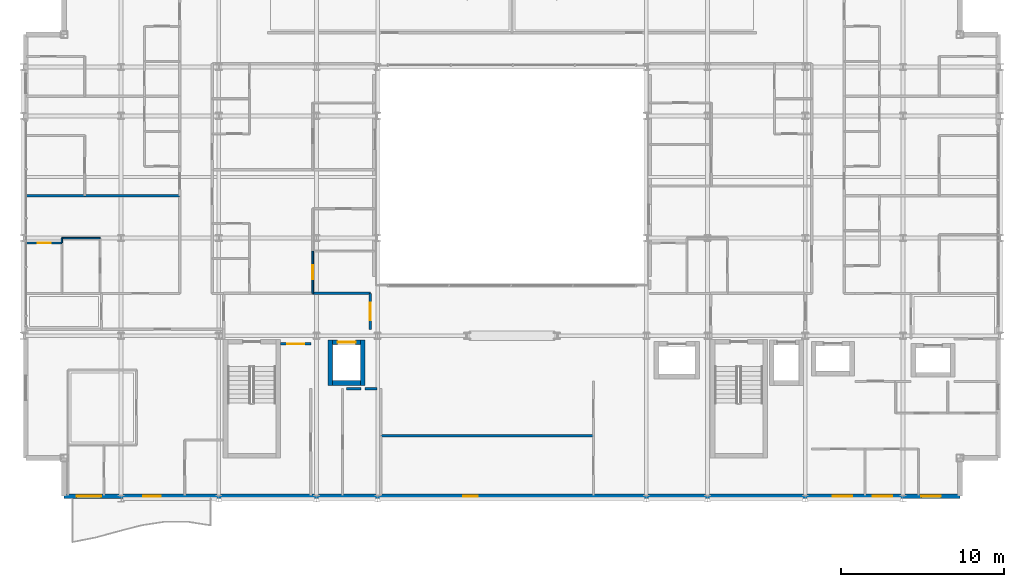
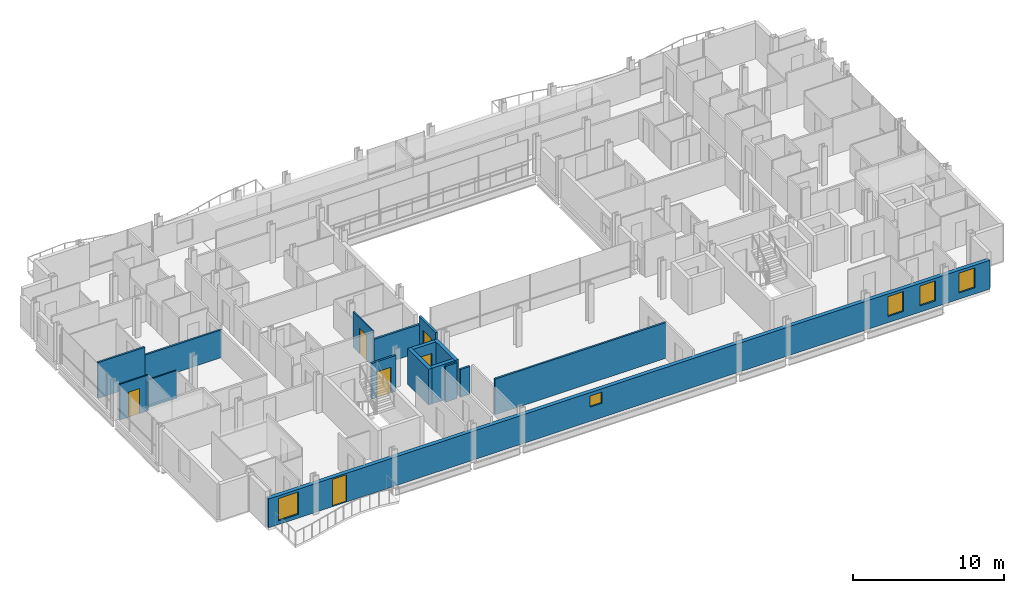
# One storey, part 32 of 41: 17 walls, 6 doors, 5 windows, 11 openings.
"""IFC4 building model written with IfcOpenShell, lengths in metres."""

from ifc_helpers import new_model, si_unit, direction, frame, frame_2d, origin, place, context, subcontext, project, spatial, rectangle, extrude, material, layer, layer_set, type_object, element, fill, save


model = new_model("IFC4")

# Units and contexts
model_context = context("Model", 3, precision=1e-05, world=origin(), true_north=direction((0.0, 1.0)))
body_context = subcontext(model_context, "Body", "Model", "MODEL_VIEW")
ifc_project = project(units=[si_unit("LENGTHUNIT", "METRE"), si_unit("AREAUNIT", "SQUARE_METRE"), si_unit("VOLUMEUNIT", "CUBIC_METRE"), si_unit("PLANEANGLEUNIT", "RADIAN"), si_unit("MASSUNIT", "GRAM", prefix="KILO")], contexts=[model_context])

# Site, building, storey
site_placement = place(None, origin())
site = spatial("IfcSite", under=ifc_project, at=site_placement, CompositionType="ELEMENT")
building_placement = place(site_placement, origin())
building = spatial("IfcBuilding", under=site, at=building_placement, Name="Brevholm Reach", CompositionType="ELEMENT")
storey_placement = place(building_placement, frame((0.0, 0.0, 100.39990234375)))
storey = spatial("IfcBuildingStorey", under=building, at=storey_placement, Name="L29", CompositionType="ELEMENT", Elevation=100.39990234375)

# Walls
ifc_material_1 = material(Name="Concrete C50/60", Category="concrete")
ifc_layer_1 = layer(ifc_material_1, 0.280029296875)
ifc_layer_set_1 = layer_set([ifc_layer_1], Name="Concrete C50/60")
wall_type_1 = type_object("IfcWallType", Name="WAL-COR-280", PredefinedType="SHEAR", material=ifc_layer_set_1)
for number, where, z_axis, x_axis, name in (
    (1, (18.85009765625, 6.9599609375, 0.0), (0.0, 0.0, 1.0), (0.0, 1.0, 0.0), "L29 Lift FFL-1 Shaft Wall W"),
    (2, (20.85009765625, 6.9599609375, 0.0), (0.0, 0.0, 1.0), (0.0, 1.0, 0.0), "L29 Lift FFL-1 Shaft Wall E"),
):
    element("IfcWall", number, at=place(storey_placement, frame(where, z_axis=z_axis, x_axis=x_axis)), inside=storey, type_object=wall_type_1, Name=name, PredefinedType="SHEAR", context=body_context, shape_type="SweptSolid", body=[
        extrude(rectangle(XDim=2.780029296875, YDim=0.280029296875, at=frame_2d((1.39013671875, 0.0))), origin(), (0.0, 0.0, 1.0), 2.880126953125),
    ])
wall_1_placement = place(storey_placement, frame((18.989990234375, 7.10009765625, 0.0), z_axis=(0.0, 0.0, 1.0), x_axis=(1.0, 0.0, 0.0)))
element("IfcWall", 3, at=wall_1_placement, inside=storey, type_object=wall_type_1, Name="L29 Lift FFL-1 Shaft Wall S", PredefinedType="SHEAR", context=body_context, shape_type="SweptSolid", body=[
    extrude(rectangle(XDim=1.719970703125, YDim=0.280029296875, at=frame_2d((0.85986328125, 0.0))), origin(), (0.0, 0.0, 1.0), 2.880126953125),
])

# Wall, opening, door
wall_2_placement = place(storey_placement, frame((18.989990234375, 9.60009765625, 0.0), z_axis=(0.0, 0.0, 1.0), x_axis=(1.0, 0.0, 0.0)))
wall_2 = element("IfcWall", 4, at=wall_2_placement, inside=storey, type_object=wall_type_1, Name="L29 Lift FFL-1 Shaft Wall N", PredefinedType="SHEAR", context=body_context, shape_type="SweptSolid", body=[
    extrude(rectangle(XDim=1.719970703125, YDim=0.280029296875, at=frame_2d((0.85986328125, 0.0))), origin(), (0.0, 0.0, 1.0), 2.880126953125),
])
opening_1_placement = place(wall_2_placement, frame((0.31005859375, 0.0, 0.0)))
opening_1 = element("IfcOpeningElement", 5, at=opening_1_placement, cuts=wall_2, Name="Opening LD-FFL-1", PredefinedType="OPENING", context=body_context, shape_type="SweptSolid", body=[
    extrude(rectangle(XDim=1.10009765625, YDim=2.06005859375, at=frame_2d((0.550048828125, 1.030029296875))), frame((0.0, 0.14990234375, 0.0), z_axis=(0.0, -1.0, 0.0), x_axis=(1.0, 0.0, 0.0)), (0.0, 0.0, 1.0), 0.300048828125),
])
ifc_material_2 = material(Name="Brushed Stainless Steel Fire-Rated Sliding Lift Door", Category="steel")
door_type_1 = type_object("IfcDoorType", Name="DOR-LFT-1100", OperationType="NOTDEFINED", PredefinedType="DOOR", material=ifc_material_2)
door_1_placement = place(opening_1_placement, origin())
door_1 = element("IfcDoor", 6, at=door_1_placement, inside=storey, type_object=door_type_1, Name="L29 Lift FFL-1 Sliding Landing Door", OperationType="SLIDING_TO_LEFT", OverallHeight=2.06005859375, OverallWidth=1.10009765625, PredefinedType="DOOR", context=body_context, shape_type="SweptSolid", body=[
    extrude(rectangle(XDim=1.10009765625, YDim=2.06005859375, at=frame_2d((0.550048828125, 1.030029296875))), frame((0.0, 0.02490234375, 0.0), z_axis=(0.0, -1.0, 0.0), x_axis=(1.0, 0.0, 0.0)), (0.0, 0.0, 1.0), 0.050048828125),
])
fill(opening_1, door_1)

# Wall, openings, door, windows
ifc_material_3 = material(Name="Concrete C40/50", Category="concrete")
ifc_layer_2 = layer(ifc_material_3, 0.300048828125)
ifc_layer_set_2 = layer_set([ifc_layer_2], Name="Concrete C40/50")
wall_type_2 = type_object("IfcWallType", Name="WAL-EXT-300", PredefinedType="STANDARD", material=ifc_layer_set_2)
wall_3_placement = place(storey_placement, frame((2.5, 0.14990234375, 0.0), z_axis=(0.0, 0.0, 1.0), x_axis=(1.0, 0.0, 0.0)))
wall_3 = element("IfcWall", 7, at=wall_3_placement, inside=storey, type_object=wall_type_2, Name="L29 Facade Wall WAL-L29-S", PredefinedType="STANDARD", context=body_context, shape_type="SweptSolid", body=[
    extrude(rectangle(XDim=55.0, YDim=0.300048828125, at=frame_2d((27.5, 0.0))), origin(), (0.0, 0.0, 1.0), 2.322021484375),
])
opening_2_placement = place(wall_3_placement, frame((4.85009765625, 0.0, 0.0)))
opening_2 = element("IfcOpeningElement", 8, at=opening_2_placement, cuts=wall_3, Name="Opening BD-01", PredefinedType="OPENING", context=body_context, shape_type="SweptSolid", body=[
    extrude(rectangle(XDim=1.10009765625, YDim=2.199951171875, at=frame_2d((0.550048828125, 1.10009765625))), frame((0.0, 0.159912109375, 0.0), z_axis=(0.0, -1.0, 0.0), x_axis=(1.0, 0.0, 0.0)), (0.0, 0.0, 1.0), 0.320068359375),
])
opening_3_placement = place(wall_3_placement, frame((0.76708984375, 0.0, 0.302001953125)))
opening_3 = element("IfcOpeningElement", 9, at=opening_3_placement, cuts=wall_3, Name="Opening WN-05", PredefinedType="OPENING", context=body_context, shape_type="SweptSolid", body=[
    extrude(rectangle(XDim=1.5, YDim=1.800048828125, at=frame_2d((0.75, 0.89990234375))), frame((0.0, 0.159912109375, 0.0), z_axis=(0.0, -1.0, 0.0), x_axis=(1.0, 0.0, 0.0)), (0.0, 0.0, 1.0), 0.320068359375),
])
opening_4_placement = place(wall_3_placement, frame((24.5, 0.0, 1.14990234375)))
opening_4 = element("IfcOpeningElement", 10, at=opening_4_placement, cuts=wall_3, Name="Opening WN-09", PredefinedType="OPENING", context=body_context, shape_type="SweptSolid", body=[
    extrude(rectangle(XDim=0.89990234375, YDim=0.89990234375, at=frame_2d((0.449951171875, 0.449951171875))), frame((0.0, 0.159912109375, 0.0), z_axis=(0.0, -1.0, 0.0), x_axis=(1.0, 0.0, 0.0)), (0.0, 0.0, 1.0), 0.320068359375),
])
opening_5_placement = place(wall_3_placement, frame((47.199951171875, 0.0, 0.501953125)))
opening_5 = element("IfcOpeningElement", 11, at=opening_5_placement, cuts=wall_3, Name="Opening WN-08", PredefinedType="OPENING", context=body_context, shape_type="SweptSolid", body=[
    extrude(rectangle(XDim=1.199951171875, YDim=1.60009765625, at=frame_2d((0.60009765625, 0.800048828125))), frame((0.0, 0.159912109375, 0.0), z_axis=(0.0, -1.0, 0.0), x_axis=(1.0, 0.0, 0.0)), (0.0, 0.0, 1.0), 0.320068359375),
])
opening_6_placement = place(wall_3_placement, frame((52.6298828125, 0.0, 0.501953125)))
opening_6 = element("IfcOpeningElement", 12, at=opening_6_placement, cuts=wall_3, Name="Opening WN-08", PredefinedType="OPENING", context=body_context, shape_type="SweptSolid", body=[
    extrude(rectangle(XDim=1.199951171875, YDim=1.60009765625, at=frame_2d((0.60009765625, 0.800048828125))), frame((0.0, 0.159912109375, 0.0), z_axis=(0.0, -1.0, 0.0), x_axis=(1.0, 0.0, 0.0)), (0.0, 0.0, 1.0), 0.320068359375),
])
opening_7_placement = place(wall_3_placement, frame((49.643310546875, 0.0, 0.501953125)))
opening_7 = element("IfcOpeningElement", 13, at=opening_7_placement, cuts=wall_3, Name="Opening WN-08", PredefinedType="OPENING", context=body_context, shape_type="SweptSolid", body=[
    extrude(rectangle(XDim=1.199951171875, YDim=1.60009765625, at=frame_2d((0.60009765625, 0.800048828125))), frame((0.0, 0.159912109375, 0.0), z_axis=(0.0, -1.0, 0.0), x_axis=(1.0, 0.0, 0.0)), (0.0, 0.0, 1.0), 0.320068359375),
])
ifc_material_4 = material(Name="Dark Anodised Aluminium and Triple-Glazed Glass", Category="aluminium")
door_type_2 = type_object("IfcDoorType", Name="DOR-BALC-1100", OperationType="NOTDEFINED", PredefinedType="DOOR", material=ifc_material_4)
door_2_placement = place(opening_2_placement, origin())
door_2 = element("IfcDoor", 14, at=door_2_placement, inside=storey, type_object=door_type_2, Name="L29 Exterior Door DOR-L29-BL-SW", OperationType="SINGLE_SWING_LEFT", OverallHeight=2.199951171875, OverallWidth=1.10009765625, PredefinedType="DOOR", context=body_context, shape_type="SweptSolid", body=[
    extrude(rectangle(XDim=1.10009765625, YDim=2.199951171875, at=frame_2d((0.550048828125, 1.10009765625))), frame((0.0, 0.02490234375, 0.0), z_axis=(0.0, -1.0, 0.0), x_axis=(1.0, 0.0, 0.0)), (0.0, 0.0, 1.0), 0.050048828125),
])
fill(opening_2, door_2)
ifc_material_5 = material(Name="Dark Anodised Aluminium and Solar-Control IGU Glass", Category="aluminium")
window_type_1 = type_object("IfcWindowType", Name="WIN-POR-0900", PartitioningType="SINGLE_PANEL", PredefinedType="WINDOW", material=ifc_material_5)
window_1_placement = place(opening_4_placement, origin())
window_1 = element("IfcWindow", 15, at=window_1_placement, inside=storey, type_object=window_type_1, Name="L29 Window WIN-L29-S-POR", OverallHeight=0.89990234375, OverallWidth=0.89990234375, PartitioningType="SINGLE_PANEL", PredefinedType="WINDOW", context=body_context, shape_type="SweptSolid", body=[
    extrude(rectangle(XDim=0.89990234375, YDim=0.89990234375, at=frame_2d((0.449951171875, 0.449951171875))), frame((0.0, 0.030029296875, 0.0), z_axis=(0.0, -1.0, 0.0), x_axis=(1.0, 0.0, 0.0)), (0.0, 0.0, 1.0), 0.06005859375),
])
fill(opening_4, window_1)
ifc_material_6 = material(Name="Dark Anodised Aluminium and Solar-Control IGU Glass", Category="aluminium")
window_type_2 = type_object("IfcWindowType", Name="WIN-RES-1200", PartitioningType="SINGLE_PANEL", PredefinedType="WINDOW", material=ifc_material_6)
window_2_placement = place(opening_5_placement, origin())
window_2 = element("IfcWindow", 16, at=window_2_placement, inside=storey, type_object=window_type_2, Name="L29 Window WIN-L29-S-E1", OverallHeight=1.60009765625, OverallWidth=1.199951171875, PartitioningType="SINGLE_PANEL", PredefinedType="WINDOW", context=body_context, shape_type="SweptSolid", body=[
    extrude(rectangle(XDim=1.199951171875, YDim=1.60009765625, at=frame_2d((0.60009765625, 0.800048828125))), frame((0.0, 0.030029296875, 0.0), z_axis=(0.0, -1.0, 0.0), x_axis=(1.0, 0.0, 0.0)), (0.0, 0.0, 1.0), 0.06005859375),
])
fill(opening_5, window_2)
window_3_placement = place(opening_6_placement, origin())
window_3 = element("IfcWindow", 17, at=window_3_placement, inside=storey, type_object=window_type_2, Name="L29 Window WIN-L29-S-E2", OverallHeight=1.60009765625, OverallWidth=1.199951171875, PartitioningType="SINGLE_PANEL", PredefinedType="WINDOW", context=body_context, shape_type="SweptSolid", body=[
    extrude(rectangle(XDim=1.199951171875, YDim=1.60009765625, at=frame_2d((0.60009765625, 0.800048828125))), frame((0.0, 0.030029296875, 0.0), z_axis=(0.0, -1.0, 0.0), x_axis=(1.0, 0.0, 0.0)), (0.0, 0.0, 1.0), 0.06005859375),
])
fill(opening_6, window_3)
window_4_placement = place(opening_7_placement, origin())
window_4 = element("IfcWindow", 18, at=window_4_placement, inside=storey, type_object=window_type_2, Name="L29 Bedroom Window 032", OverallHeight=1.60009765625, OverallWidth=1.199951171875, PartitioningType="SINGLE_PANEL", PredefinedType="WINDOW", context=body_context, shape_type="SweptSolid", body=[
    extrude(rectangle(XDim=1.199951171875, YDim=1.60009765625, at=frame_2d((0.60009765625, 0.800048828125))), frame((0.0, 0.030029296875, 0.0), z_axis=(0.0, -1.0, 0.0), x_axis=(1.0, 0.0, 0.0)), (0.0, 0.0, 1.0), 0.06005859375),
])
fill(opening_7, window_4)
ifc_material_7 = material(Name="Dark Anodised Aluminium and Solar-Control IGU Glass", Category="aluminium")
window_type_3 = type_object("IfcWindowType", Name="WIN-RES-1500", PartitioningType="SINGLE_PANEL", PredefinedType="WINDOW", material=ifc_material_7)
window_5_placement = place(opening_3_placement, origin())
window_5 = element("IfcWindow", 19, at=window_5_placement, inside=storey, type_object=window_type_3, Name="L29 Window WIN-L29-S-W1", OverallHeight=1.800048828125, OverallWidth=1.5, PartitioningType="SINGLE_PANEL", PredefinedType="WINDOW", context=body_context, shape_type="SweptSolid", body=[
    extrude(rectangle(XDim=1.5, YDim=1.800048828125, at=frame_2d((0.75, 0.89990234375))), frame((0.0, 0.030029296875, 0.0), z_axis=(0.0, -1.0, 0.0), x_axis=(1.0, 0.0, 0.0)), (0.0, 0.0, 1.0), 0.06005859375),
])
fill(opening_3, window_5)

# Wall, opening, door
ifc_material_8 = material(Name="Moisture-Resistant Acoustic Gypsum Stud Partition 100 mm", Category="gypsum")
ifc_layer_3 = layer(ifc_material_8, 0.10009765625)
ifc_layer_set_3 = layer_set([ifc_layer_3], Name="Moisture-Resistant Acoustic Gypsum Stud Partition 100 mm")
wall_type_3 = type_object("IfcWallType", Name="WAL-PRT-100", PredefinedType="PARTITIONING", material=ifc_layer_set_3)
wall_4_placement = place(storey_placement, frame((0.199951171875, 15.699951171875, 0.0), z_axis=(0.0, 0.0, 1.0), x_axis=(1.0, 0.0, 0.0)))
wall_4 = element("IfcWall", 20, at=wall_4_placement, inside=storey, type_object=wall_type_3, Name="L29 Internal Partition 088", PredefinedType="PARTITIONING", context=body_context, shape_type="SweptSolid", body=[
    extrude(rectangle(XDim=2.162109375, YDim=0.10009765625, at=frame_2d((1.0810546875, 0.0))), origin(), (0.0, 0.0, 1.0), 2.880126953125),
])
opening_8_placement = place(wall_4_placement, frame((0.6708984375, 0.0, 0.0)))
opening_8 = element("IfcOpeningElement", 21, at=opening_8_placement, cuts=wall_4, Name="Opening ID-03", PredefinedType="OPENING", context=body_context, shape_type="SweptSolid", body=[
    extrude(rectangle(XDim=0.820068359375, YDim=2.02001953125, at=frame_2d((0.41015625, 1.010009765625))), frame((0.0, 0.06005859375, 0.0), z_axis=(0.0, -1.0, 0.0), x_axis=(1.0, 0.0, 0.0)), (0.0, 0.0, 1.0), 0.1201171875),
])
ifc_material_9 = material(Name="Moisture-Resistant Painted Timber Internal Bathroom Door", Category="wood")
door_type_3 = type_object("IfcDoorType", Name="DOR-BATH-820", OperationType="NOTDEFINED", PredefinedType="DOOR", material=ifc_material_9)
door_3_placement = place(opening_8_placement, origin())
door_3 = element("IfcDoor", 22, at=door_3_placement, inside=storey, type_object=door_type_3, Name="L29 Internal Door 032", OperationType="SINGLE_SWING_LEFT", OverallHeight=2.02001953125, OverallWidth=0.820068359375, PredefinedType="DOOR", context=body_context, shape_type="SweptSolid", body=[
    extrude(rectangle(XDim=0.820068359375, YDim=2.02001953125, at=frame_2d((0.41015625, 1.010009765625))), frame((0.0, 0.02490234375, 0.0), z_axis=(0.0, -1.0, 0.0), x_axis=(1.0, 0.0, 0.0)), (0.0, 0.0, 1.0), 0.050048828125),
])
fill(opening_8, door_3)

# Walls
wall_5_placement = place(storey_placement, frame((2.362060546875, 16.0, 0.0), z_axis=(0.0, 0.0, 1.0), x_axis=(1.0, 0.0, 0.0)))
element("IfcWall", 23, at=wall_5_placement, inside=storey, type_object=wall_type_3, Name="L29 Internal Partition 090", PredefinedType="PARTITIONING", context=body_context, shape_type="SweptSolid", body=[
    extrude(rectangle(XDim=2.349853515625, YDim=0.10009765625, at=frame_2d((1.1748046875, 0.0))), origin(), (0.0, 0.0, 1.0), 2.242919921875),
])
wall_6_placement = place(storey_placement, frame((2.362060546875, 15.7041015625, 0.0), z_axis=(0.0, 0.0, 1.0), x_axis=(0.0, 1.0, 0.0)))
element("IfcWall", 24, at=wall_6_placement, inside=storey, type_object=wall_type_3, Name="L29 Internal Partition 091", PredefinedType="PARTITIONING", context=body_context, shape_type="SweptSolid", body=[
    extrude(rectangle(XDim=0.2958984375, YDim=0.10009765625, at=frame_2d((0.14794921875, 0.0))), origin(), (0.0, 0.0, 1.0), 2.242919921875),
])

# Wall, opening, door
wall_7_placement = place(storey_placement, frame((17.76904296875, 12.60400390625, 0.0), z_axis=(0.0, 0.0, 1.0), x_axis=(0.0, 1.0, 0.0)))
wall_7 = element("IfcWall", 25, at=wall_7_placement, inside=storey, type_object=wall_type_3, Name="L29 Internal Partition 114", PredefinedType="PARTITIONING", context=body_context, shape_type="SweptSolid", body=[
    extrude(rectangle(XDim=2.595947265625, YDim=0.10009765625, at=frame_2d((1.2978515625, 0.0))), origin(), (0.0, 0.0, 1.0), 2.880126953125),
])
opening_9_placement = place(wall_7_placement, frame((0.85791015625, 0.0, 0.0)))
opening_9 = element("IfcOpeningElement", 26, at=opening_9_placement, cuts=wall_7, Name="Opening ID-01", PredefinedType="OPENING", context=body_context, shape_type="SweptSolid", body=[
    extrude(rectangle(XDim=0.8798828125, YDim=2.0400390625, at=frame_2d((0.43994140625, 1.02001953125))), frame((0.0, 0.06005859375, 0.0), z_axis=(0.0, -1.0, 0.0), x_axis=(1.0, 0.0, 0.0)), (0.0, 0.0, 1.0), 0.1201171875),
])
ifc_material_10 = material(Name="Lacquered Ash Solid-Core Acoustic Internal Door", Category="timber")
door_type_4 = type_object("IfcDoorType", Name="DOR-INT-880", OperationType="NOTDEFINED", PredefinedType="DOOR", material=ifc_material_10)
door_4_placement = place(opening_9_placement, origin())
door_4 = element("IfcDoor", 27, at=door_4_placement, inside=storey, type_object=door_type_4, Name="L29 Internal Door 042", OperationType="SINGLE_SWING_LEFT", OverallHeight=2.0400390625, OverallWidth=0.8798828125, PredefinedType="DOOR", context=body_context, shape_type="SweptSolid", body=[
    extrude(rectangle(XDim=0.8798828125, YDim=2.0400390625, at=frame_2d((0.43994140625, 1.02001953125))), frame((0.0, 0.02490234375, 0.0), z_axis=(0.0, -1.0, 0.0), x_axis=(1.0, 0.0, 0.0)), (0.0, 0.0, 1.0), 0.050048828125),
])
fill(opening_9, door_4)

# Walls
ifc_material_11 = material(Name="Twin-Stud Acoustic Fire-Rated Gypsum Partition 140 mm", Category="gypsum")
ifc_layer_4 = layer(ifc_material_11, 0.139892578125)
ifc_layer_set_4 = layer_set([ifc_layer_4], Name="Twin-Stud Acoustic Fire-Rated Gypsum Partition 140 mm")
wall_type_4 = type_object("IfcWallType", Name="WAL-PRT-140", PredefinedType="PARTITIONING", material=ifc_layer_set_4)
wall_8_placement = place(storey_placement, frame((21.949951171875, 3.860107421875, 0.0), z_axis=(0.0, 0.0, 1.0), x_axis=(1.0, 0.0, 0.0)))
element("IfcWall", 28, at=wall_8_placement, inside=storey, type_object=wall_type_4, Name="L29 Internal Partition 003", PredefinedType="PARTITIONING", context=body_context, shape_type="SweptSolid", body=[
    extrude(rectangle(XDim=13.046142578125, YDim=0.139892578125, at=frame_2d((6.52294921875, 0.0))), origin(), (0.0, 0.0, 1.0), 2.880126953125),
])
wall_9_placement = place(storey_placement, frame((0.199951171875, 18.60009765625, 0.0), z_axis=(0.0, 0.0, 1.0), x_axis=(1.0, 0.0, 0.0)))
element("IfcWall", 29, at=wall_9_placement, inside=storey, type_object=wall_type_4, Name="L29 Internal Partition 092", PredefinedType="PARTITIONING", context=body_context, shape_type="SweptSolid", body=[
    extrude(rectangle(XDim=3.583251953125, YDim=0.139892578125, at=frame_2d((1.79150390625, 0.0))), origin(), (0.0, 0.0, 1.0), 2.880126953125),
])
wall_10_placement = place(storey_placement, frame((3.7646484375, 18.60009765625, 0.0), z_axis=(0.0, 0.0, 1.0), x_axis=(1.0, 0.0, 0.0)))
element("IfcWall", 30, at=wall_10_placement, inside=storey, type_object=wall_type_4, Name="L29 Internal Partition 093", PredefinedType="PARTITIONING", context=body_context, shape_type="SweptSolid", body=[
    extrude(rectangle(XDim=5.831298828125, YDim=0.139892578125, at=frame_2d((2.91552734375, 0.0))), origin(), (0.0, 0.0, 1.0), 2.242919921875),
])
wall_11_placement = place(storey_placement, frame((20.9658203125, 6.75, 0.0), z_axis=(0.0, 0.0, 1.0), x_axis=(1.0, 0.0, 0.0)))
element("IfcWall", 31, at=wall_11_placement, inside=storey, type_object=wall_type_4, Name="L29 Internal Partition 165", PredefinedType="PARTITIONING", context=body_context, shape_type="SweptSolid", body=[
    extrude(rectangle(XDim=0.744140625, YDim=0.139892578125, at=frame_2d((0.3720703125, 0.0))), origin(), (0.0, 0.0, 1.0), 2.242919921875),
])
wall_12_placement = place(storey_placement, frame((19.840087890625, 6.75, 0.0), z_axis=(0.0, 0.0, 1.0), x_axis=(1.0, 0.0, 0.0)))
element("IfcWall", 32, at=wall_12_placement, inside=storey, type_object=wall_type_4, Name="L29 Internal Partition 166", PredefinedType="PARTITIONING", context=body_context, shape_type="SweptSolid", body=[
    extrude(rectangle(XDim=0.89404296875, YDim=0.139892578125, at=frame_2d((0.447021484375, 0.0))), origin(), (0.0, 0.0, 1.0), 2.880126953125),
])

# Wall, opening, door
ifc_material_12 = material(Name="Twin-Frame Fire-Rated Gypsum Board and Mineral Wool 160 mm", Category="gypsum")
ifc_layer_5 = layer(ifc_material_12, 0.159912109375)
ifc_layer_set_5 = layer_set([ifc_layer_5], Name="Twin-Frame Fire-Rated Gypsum Board and Mineral Wool 160 mm")
wall_type_5 = type_object("IfcWallType", Name="WAL-PRT-160", PredefinedType="PARTITIONING", material=ifc_layer_set_5)
wall_13_placement = place(storey_placement, frame((15.800048828125, 9.5, 0.0), z_axis=(0.0, 0.0, 1.0), x_axis=(1.0, 0.0, 0.0)))
wall_13 = element("IfcWall", 33, at=wall_13_placement, inside=storey, type_object=wall_type_5, Name="L29 Internal Partition 007", PredefinedType="PARTITIONING", context=body_context, shape_type="SweptSolid", body=[
    extrude(rectangle(XDim=1.849853515625, YDim=0.159912109375, at=frame_2d((0.9248046875, 0.0))), origin(), (0.0, 0.0, 1.0), 2.880126953125),
])
opening_10_placement = place(wall_13_placement, frame((0.39990234375, 0.0, 0.0)))
opening_10 = element("IfcOpeningElement", 34, at=opening_10_placement, cuts=wall_13, Name="Opening FD-01", PredefinedType="OPENING", context=body_context, shape_type="SweptSolid", body=[
    extrude(rectangle(XDim=1.050048828125, YDim=2.06005859375, at=frame_2d((0.52490234375, 1.030029296875))), frame((0.0, 0.08984375, 0.0), z_axis=(0.0, -1.0, 0.0), x_axis=(1.0, 0.0, 0.0)), (0.0, 0.0, 1.0), 0.179931640625),
])
ifc_material_13 = material(Name="Hardwood-Lipped Steel-Core Fire and Smoke Door", Category="steel")
door_type_5 = type_object("IfcDoorType", Name="DOR-INT-FD60S", OperationType="NOTDEFINED", PredefinedType="DOOR", material=ifc_material_13)
door_5_placement = place(opening_10_placement, origin())
door_5 = element("IfcDoor", 35, at=door_5_placement, inside=storey, type_object=door_type_5, Name="L29 Internal Door 004", OperationType="SINGLE_SWING_LEFT", OverallHeight=2.06005859375, OverallWidth=1.050048828125, PredefinedType="DOOR", context=body_context, shape_type="SweptSolid", body=[
    extrude(rectangle(XDim=1.050048828125, YDim=2.06005859375, at=frame_2d((0.52490234375, 1.030029296875))), frame((0.0, 0.02490234375, 0.0), z_axis=(0.0, -1.0, 0.0), x_axis=(1.0, 0.0, 0.0)), (0.0, 0.0, 1.0), 0.050048828125),
])
fill(opening_10, door_5)

wall_14_placement = place(storey_placement, frame((21.300048828125, 10.388671875, 0.0), z_axis=(0.0, 0.0, 1.0), x_axis=(0.0, 1.0, 0.0)))
wall_14 = element("IfcWall", 36, at=wall_14_placement, inside=storey, type_object=wall_type_5, Name="L29 Internal Partition 014", PredefinedType="PARTITIONING", context=body_context, shape_type="SweptSolid", body=[
    extrude(rectangle(XDim=2.21142578125, YDim=0.159912109375, at=frame_2d((1.105712890625, 0.0))), origin(), (0.0, 0.0, 1.0), 2.880126953125),
])
opening_11_placement = place(wall_14_placement, frame((0.58056640625, 0.0, 0.0)))
opening_11 = element("IfcOpeningElement", 37, at=opening_11_placement, cuts=wall_14, Name="Opening FD-01", PredefinedType="OPENING", context=body_context, shape_type="SweptSolid", body=[
    extrude(rectangle(XDim=1.050048828125, YDim=2.06005859375, at=frame_2d((0.52490234375, 1.030029296875))), frame((0.0, 0.08984375, 0.0), z_axis=(0.0, -1.0, 0.0), x_axis=(1.0, 0.0, 0.0)), (0.0, 0.0, 1.0), 0.179931640625),
])
door_6_placement = place(opening_11_placement, origin())
door_6 = element("IfcDoor", 38, at=door_6_placement, inside=storey, type_object=door_type_5, Name="L29 Internal Door 009", OperationType="SINGLE_SWING_RIGHT", OverallHeight=2.06005859375, OverallWidth=1.050048828125, PredefinedType="DOOR", context=body_context, shape_type="SweptSolid", body=[
    extrude(rectangle(XDim=1.050048828125, YDim=2.06005859375, at=frame_2d((0.52490234375, 1.030029296875))), frame((0.0, 0.02490234375, 0.0), z_axis=(0.0, -1.0, 0.0), x_axis=(1.0, 0.0, 0.0)), (0.0, 0.0, 1.0), 0.050048828125),
])
fill(opening_11, door_6)

# Wall
wall_15_placement = place(storey_placement, frame((17.7578125, 12.60009765625, 0.0), z_axis=(0.0, 0.0, 1.0), x_axis=(1.0, 0.0, 0.0)))
element("IfcWall", 39, at=wall_15_placement, inside=storey, type_object=wall_type_5, Name="L29 Internal Partition 017", PredefinedType="PARTITIONING", context=body_context, shape_type="SweptSolid", body=[
    extrude(rectangle(XDim=3.542236328125, YDim=0.159912109375, at=frame_2d((1.77099609375, 0.0))), origin(), (0.0, 0.0, 1.0), 2.242919921875),
])

save(model, "model.ifc")
